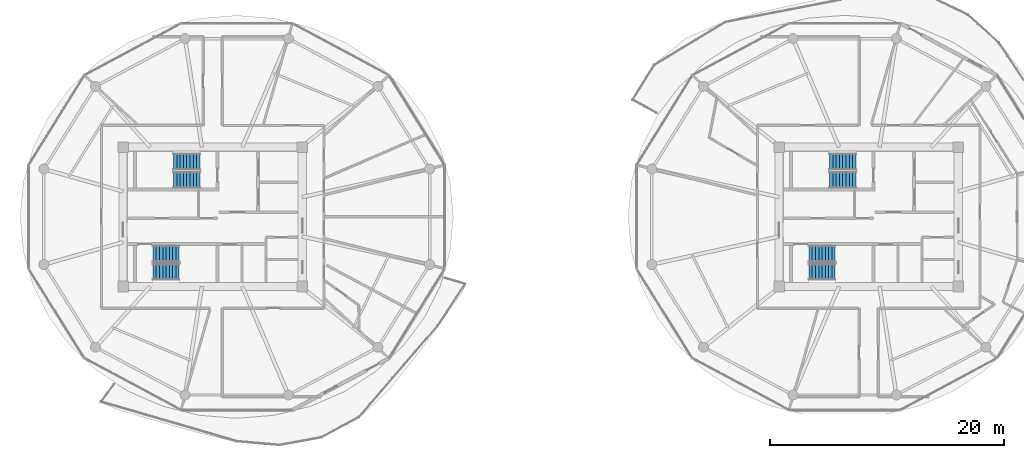
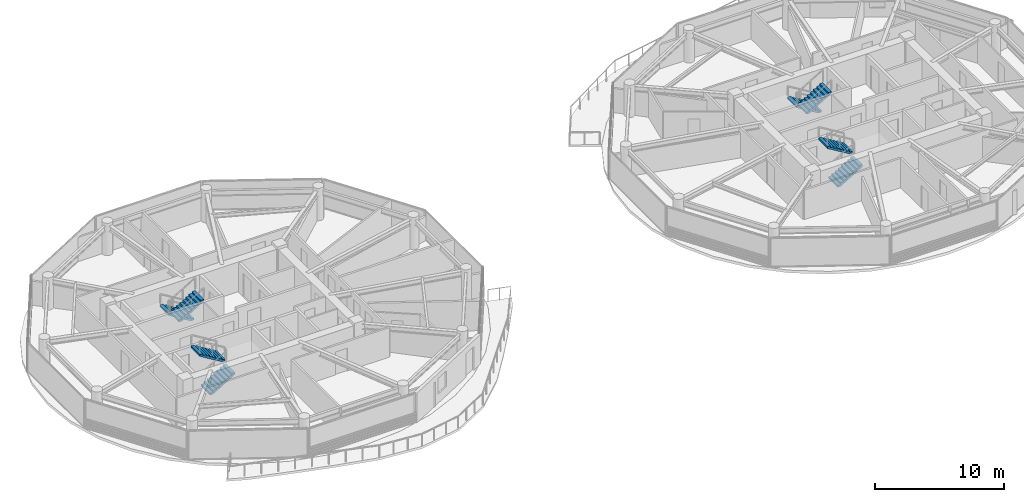
# One storey, part 18 of 24: 8 stair flights, 4 elements without a shape of their own.
"""IFC4 building model written with IfcOpenShell, lengths in metres."""

from ifc_helpers import new_model, si_unit, direction, frame, origin, place, context, subcontext, project, spatial, polyline, outline, extrude, material, type_object, element, aggregate, save


model = new_model("IFC4")

# Units and contexts
model_context = context("Model", 3, precision=1e-05, world=origin(), true_north=direction((0.0, 1.0)))
body_context = subcontext(model_context, "Body", "Model", "MODEL_VIEW")
ifc_project = project(units=[si_unit("LENGTHUNIT", "METRE"), si_unit("AREAUNIT", "SQUARE_METRE"), si_unit("VOLUMEUNIT", "CUBIC_METRE"), si_unit("PLANEANGLEUNIT", "RADIAN"), si_unit("MASSUNIT", "GRAM", prefix="KILO")], contexts=[model_context])

# Site, building, storey
site_placement = place(None, origin())
site = spatial("IfcSite", under=ifc_project, at=site_placement, CompositionType="ELEMENT")
building_placement = place(site_placement, origin())
building = spatial("IfcBuilding", under=site, at=building_placement, Name="Norrkilde Senior Care Towers", CompositionType="ELEMENT")
storey_placement = place(building_placement, frame((0.0, 0.0, 111.5)))
storey = spatial("IfcBuildingStorey", under=building, at=storey_placement, Name="L34", CompositionType="ELEMENT", Elevation=111.5)

# Stair, stair flights
ifc_material = material(Name="Concrete C45/55", Category="concrete")
stair_type = type_object("IfcStairType", Name="Core Protected Dogleg Stair Typical 3050", PredefinedType="HALF_TURN_STAIR", material=ifc_material)
stair_1_placement = place(storey_placement, origin())
stair_1 = element("IfcStair", 1, at=stair_1_placement, inside=storey, type_object=stair_type, Name="L34 Protected Core Stair W1", PredefinedType="HALF_TURN_STAIR")
stair_flight_type = type_object("IfcStairFlightType", Name="Core Protected Dogleg Stair Typical 3050 Flight", PredefinedType="STRAIGHT", material=ifc_material)
stair_flight_1_placement = place(storey_placement, frame((-29.10009765625, 4.699951171875, 0.0), z_axis=(0.0, 0.0, 1.0), x_axis=(-1.0, 0.0, 0.0)))
stair_flight_1 = element("IfcStairFlight", 2, at=stair_flight_1_placement, type_object=stair_flight_type, Name="ST-W1 flight 1", NumberOfRisers=9, NumberOfTreads=8, PredefinedType="STRAIGHT", RiserHeight=0.169444444, TreadLength=0.28, context=body_context, shape_type="SweptSolid", body=[
    extrude(outline(polyline([(0.0, 0.0), (0.0, 0.16943359375), (0.280029296875, 0.16943359375), (0.280029296875, 0.3388671875), (0.56005859375, 0.3388671875), (0.56005859375, 0.50830078125), (0.840087890625, 0.50830078125), (0.840087890625, 0.677734375), (1.1201171875, 0.677734375), (1.1201171875, 0.84716796875), (1.39990234375, 0.84716796875), (1.39990234375, 1.0166015625), (1.679931640625, 1.0166015625), (1.679931640625, 1.18603515625), (1.9599609375, 1.18603515625), (1.9599609375, 1.35546875), (2.239990234375, 1.35546875), (2.239990234375, 1.52490234375), (2.239990234375, 1.180419921875), (0.28955078125, 0.0), (0.0, 0.0)])), frame((0.0, 0.699951171875, 0.0), z_axis=(0.0, -1.0, 0.0), x_axis=(1.0, 0.0, 0.0)), (0.0, 0.0, 1.0), 1.39990234375),
])
stair_flight_2_placement = place(storey_placement, frame((-31.340087890625, 3.14990234375, 1.52490234375), z_axis=(0.0, 0.0, 1.0), x_axis=(1.0, 0.0, 0.0)))
stair_flight_2 = element("IfcStairFlight", 3, at=stair_flight_2_placement, type_object=stair_flight_type, Name="ST-W1 flight 2", NumberOfRisers=9, NumberOfTreads=8, PredefinedType="STRAIGHT", RiserHeight=0.169444444, TreadLength=0.28, context=body_context, shape_type="SweptSolid", body=[
    extrude(outline(polyline([(0.0, 0.0), (0.0, 0.16943359375), (0.280029296875, 0.16943359375), (0.280029296875, 0.3388671875), (0.56005859375, 0.3388671875), (0.56005859375, 0.50830078125), (0.840087890625, 0.50830078125), (0.840087890625, 0.677734375), (1.1201171875, 0.677734375), (1.1201171875, 0.84716796875), (1.39990234375, 0.84716796875), (1.39990234375, 1.0166015625), (1.679931640625, 1.0166015625), (1.679931640625, 1.18603515625), (1.9599609375, 1.18603515625), (1.9599609375, 1.35546875), (2.239990234375, 1.35546875), (2.239990234375, 1.52490234375), (2.239990234375, 1.180419921875), (0.28955078125, 0.0), (0.0, 0.0)])), frame((0.0, 0.699951171875, 0.0), z_axis=(0.0, -1.0, 0.0), x_axis=(1.0, 0.0, 0.0)), (0.0, 0.0, 1.0), 1.39990234375),
])
aggregate(stair_1, [stair_flight_1, stair_flight_2])

stair_2_placement = place(storey_placement, origin())
stair_2 = element("IfcStair", 4, at=stair_2_placement, inside=storey, type_object=stair_type, Name="L34 Protected Core Stair W2", PredefinedType="HALF_TURN_STAIR")
stair_flight_3_placement = place(storey_placement, frame((-33.10009765625, -4.699951171875, 0.0), z_axis=(0.0, 0.0, 1.0), x_axis=(1.0, 0.0, 0.0)))
stair_flight_3 = element("IfcStairFlight", 5, at=stair_flight_3_placement, type_object=stair_flight_type, Name="ST-W2 flight 1", NumberOfRisers=9, NumberOfTreads=8, PredefinedType="STRAIGHT", RiserHeight=0.169444444, TreadLength=0.28, context=body_context, shape_type="SweptSolid", body=[
    extrude(outline(polyline([(0.0, 0.0), (0.0, 0.16943359375), (0.280029296875, 0.16943359375), (0.280029296875, 0.3388671875), (0.56005859375, 0.3388671875), (0.56005859375, 0.50830078125), (0.840087890625, 0.50830078125), (0.840087890625, 0.677734375), (1.1201171875, 0.677734375), (1.1201171875, 0.84716796875), (1.39990234375, 0.84716796875), (1.39990234375, 1.0166015625), (1.679931640625, 1.0166015625), (1.679931640625, 1.18603515625), (1.9599609375, 1.18603515625), (1.9599609375, 1.35546875), (2.239990234375, 1.35546875), (2.239990234375, 1.52490234375), (2.239990234375, 1.180419921875), (0.28955078125, 0.0), (0.0, 0.0)])), frame((0.0, 0.699951171875, 0.0), z_axis=(0.0, -1.0, 0.0), x_axis=(1.0, 0.0, 0.0)), (0.0, 0.0, 1.0), 1.39990234375),
])
stair_flight_4_placement = place(storey_placement, frame((-30.860107421875, -3.14990234375, 1.52490234375), z_axis=(0.0, 0.0, 1.0), x_axis=(-1.0, 0.0, 0.0)))
stair_flight_4 = element("IfcStairFlight", 6, at=stair_flight_4_placement, type_object=stair_flight_type, Name="ST-W2 flight 2", NumberOfRisers=9, NumberOfTreads=8, PredefinedType="STRAIGHT", RiserHeight=0.169444444, TreadLength=0.28, context=body_context, shape_type="SweptSolid", body=[
    extrude(outline(polyline([(0.0, 0.0), (0.0, 0.16943359375), (0.280029296875, 0.16943359375), (0.280029296875, 0.3388671875), (0.56005859375, 0.3388671875), (0.56005859375, 0.50830078125), (0.840087890625, 0.50830078125), (0.840087890625, 0.677734375), (1.1201171875, 0.677734375), (1.1201171875, 0.84716796875), (1.39990234375, 0.84716796875), (1.39990234375, 1.0166015625), (1.679931640625, 1.0166015625), (1.679931640625, 1.18603515625), (1.9599609375, 1.18603515625), (1.9599609375, 1.35546875), (2.239990234375, 1.35546875), (2.239990234375, 1.52490234375), (2.239990234375, 1.180419921875), (0.28955078125, 0.0), (0.0, 0.0)])), frame((0.0, 0.699951171875, 0.0), z_axis=(0.0, -1.0, 0.0), x_axis=(1.0, 0.0, 0.0)), (0.0, 0.0, 1.0), 1.39990234375),
])
aggregate(stair_2, [stair_flight_3, stair_flight_4])

stair_3_placement = place(storey_placement, origin())
stair_3 = element("IfcStair", 7, at=stair_3_placement, inside=storey, type_object=stair_type, Name="L34 Protected Core Stair E1", PredefinedType="HALF_TURN_STAIR")
stair_flight_5_placement = place(storey_placement, frame((26.89990234375, 4.699951171875, 0.0), z_axis=(0.0, 0.0, 1.0), x_axis=(-1.0, 0.0, 0.0)))
stair_flight_5 = element("IfcStairFlight", 8, at=stair_flight_5_placement, type_object=stair_flight_type, Name="ST-E1 flight 1", NumberOfRisers=9, NumberOfTreads=8, PredefinedType="STRAIGHT", RiserHeight=0.169444444, TreadLength=0.28, context=body_context, shape_type="SweptSolid", body=[
    extrude(outline(polyline([(0.0, 0.0), (0.0, 0.16943359375), (0.280029296875, 0.16943359375), (0.280029296875, 0.3388671875), (0.56005859375, 0.3388671875), (0.56005859375, 0.50830078125), (0.840087890625, 0.50830078125), (0.840087890625, 0.677734375), (1.1201171875, 0.677734375), (1.1201171875, 0.84716796875), (1.39990234375, 0.84716796875), (1.39990234375, 1.0166015625), (1.679931640625, 1.0166015625), (1.679931640625, 1.18603515625), (1.9599609375, 1.18603515625), (1.9599609375, 1.35546875), (2.239990234375, 1.35546875), (2.239990234375, 1.52490234375), (2.239990234375, 1.180419921875), (0.28955078125, 0.0), (0.0, 0.0)])), frame((0.0, 0.699951171875, 0.0), z_axis=(0.0, -1.0, 0.0), x_axis=(1.0, 0.0, 0.0)), (0.0, 0.0, 1.0), 1.39990234375),
])
stair_flight_6_placement = place(storey_placement, frame((24.659912109375, 3.14990234375, 1.52490234375), z_axis=(0.0, 0.0, 1.0), x_axis=(1.0, 0.0, 0.0)))
stair_flight_6 = element("IfcStairFlight", 9, at=stair_flight_6_placement, type_object=stair_flight_type, Name="ST-E1 flight 2", NumberOfRisers=9, NumberOfTreads=8, PredefinedType="STRAIGHT", RiserHeight=0.169444444, TreadLength=0.28, context=body_context, shape_type="SweptSolid", body=[
    extrude(outline(polyline([(0.0, 0.0), (0.0, 0.16943359375), (0.280029296875, 0.16943359375), (0.280029296875, 0.3388671875), (0.56005859375, 0.3388671875), (0.56005859375, 0.50830078125), (0.840087890625, 0.50830078125), (0.840087890625, 0.677734375), (1.1201171875, 0.677734375), (1.1201171875, 0.84716796875), (1.39990234375, 0.84716796875), (1.39990234375, 1.0166015625), (1.679931640625, 1.0166015625), (1.679931640625, 1.18603515625), (1.9599609375, 1.18603515625), (1.9599609375, 1.35546875), (2.239990234375, 1.35546875), (2.239990234375, 1.52490234375), (2.239990234375, 1.180419921875), (0.28955078125, 0.0), (0.0, 0.0)])), frame((0.0, 0.699951171875, 0.0), z_axis=(0.0, -1.0, 0.0), x_axis=(1.0, 0.0, 0.0)), (0.0, 0.0, 1.0), 1.39990234375),
])
aggregate(stair_3, [stair_flight_5, stair_flight_6])

stair_4_placement = place(storey_placement, origin())
stair_4 = element("IfcStair", 10, at=stair_4_placement, inside=storey, type_object=stair_type, Name="L34 Protected Core Stair E2", PredefinedType="HALF_TURN_STAIR")
stair_flight_7_placement = place(storey_placement, frame((22.89990234375, -4.699951171875, 0.0), z_axis=(0.0, 0.0, 1.0), x_axis=(1.0, 0.0, 0.0)))
stair_flight_7 = element("IfcStairFlight", 11, at=stair_flight_7_placement, type_object=stair_flight_type, Name="ST-E2 flight 1", NumberOfRisers=9, NumberOfTreads=8, PredefinedType="STRAIGHT", RiserHeight=0.169444444, TreadLength=0.28, context=body_context, shape_type="SweptSolid", body=[
    extrude(outline(polyline([(0.0, 0.0), (0.0, 0.16943359375), (0.280029296875, 0.16943359375), (0.280029296875, 0.3388671875), (0.56005859375, 0.3388671875), (0.56005859375, 0.50830078125), (0.840087890625, 0.50830078125), (0.840087890625, 0.677734375), (1.1201171875, 0.677734375), (1.1201171875, 0.84716796875), (1.39990234375, 0.84716796875), (1.39990234375, 1.0166015625), (1.679931640625, 1.0166015625), (1.679931640625, 1.18603515625), (1.9599609375, 1.18603515625), (1.9599609375, 1.35546875), (2.239990234375, 1.35546875), (2.239990234375, 1.52490234375), (2.239990234375, 1.180419921875), (0.28955078125, 0.0), (0.0, 0.0)])), frame((0.0, 0.699951171875, 0.0), z_axis=(0.0, -1.0, 0.0), x_axis=(1.0, 0.0, 0.0)), (0.0, 0.0, 1.0), 1.39990234375),
])
stair_flight_8_placement = place(storey_placement, frame((25.139892578125, -3.14990234375, 1.52490234375), z_axis=(0.0, 0.0, 1.0), x_axis=(-1.0, 0.0, 0.0)))
stair_flight_8 = element("IfcStairFlight", 12, at=stair_flight_8_placement, type_object=stair_flight_type, Name="ST-E2 flight 2", NumberOfRisers=9, NumberOfTreads=8, PredefinedType="STRAIGHT", RiserHeight=0.169444444, TreadLength=0.28, context=body_context, shape_type="SweptSolid", body=[
    extrude(outline(polyline([(0.0, 0.0), (0.0, 0.16943359375), (0.280029296875, 0.16943359375), (0.280029296875, 0.3388671875), (0.56005859375, 0.3388671875), (0.56005859375, 0.50830078125), (0.840087890625, 0.50830078125), (0.840087890625, 0.677734375), (1.1201171875, 0.677734375), (1.1201171875, 0.84716796875), (1.39990234375, 0.84716796875), (1.39990234375, 1.0166015625), (1.679931640625, 1.0166015625), (1.679931640625, 1.18603515625), (1.9599609375, 1.18603515625), (1.9599609375, 1.35546875), (2.239990234375, 1.35546875), (2.239990234375, 1.52490234375), (2.239990234375, 1.180419921875), (0.28955078125, 0.0), (0.0, 0.0)])), frame((0.0, 0.699951171875, 0.0), z_axis=(0.0, -1.0, 0.0), x_axis=(1.0, 0.0, 0.0)), (0.0, 0.0, 1.0), 1.39990234375),
])
aggregate(stair_4, [stair_flight_7, stair_flight_8])

save(model, "model.ifc")
